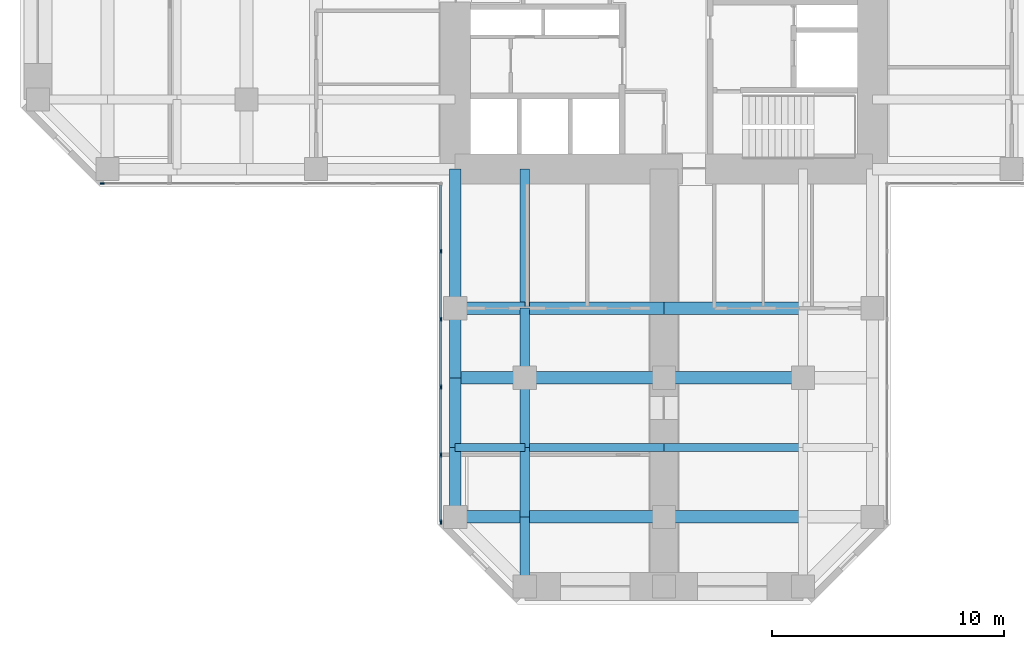
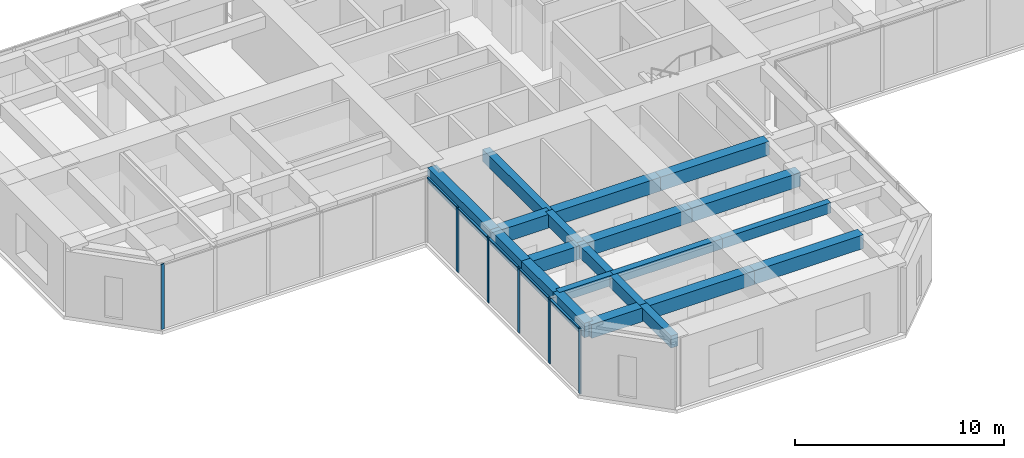
# One storey, part 2 of 12: 21 beams, 11 members, 2 elements without a shape of their own.
"""IFC4 building model written with IfcOpenShell, lengths in metres."""

from ifc_helpers import new_model, si_unit, direction, frame, origin, origin_2d, place, context, subcontext, project, spatial, rectangle, extrude, material, material_profile, profile_set, type_object, element, aggregate, save


model = new_model("IFC4")

# Units and contexts
model_context = context("Model", 3, precision=1e-05, world=origin(), true_north=direction((0.0, 1.0)))
body_context = subcontext(model_context, "Body", "Model", "MODEL_VIEW")
ifc_project = project(units=[si_unit("LENGTHUNIT", "METRE"), si_unit("AREAUNIT", "SQUARE_METRE"), si_unit("VOLUMEUNIT", "CUBIC_METRE"), si_unit("PLANEANGLEUNIT", "RADIAN"), si_unit("MASSUNIT", "GRAM", prefix="KILO")], contexts=[model_context])

# Site, building, storey
site_placement = place(None, origin())
site = spatial("IfcSite", under=ifc_project, at=site_placement, CompositionType="ELEMENT")
building_placement = place(site_placement, origin())
building = spatial("IfcBuilding", under=site, at=building_placement, Name="Torre Cruceta", CompositionType="ELEMENT")
storey_placement = place(building_placement, frame((0.0, 0.0, 136.5)))
storey = spatial("IfcBuildingStorey", under=building, at=storey_placement, Name="L33", CompositionType="ELEMENT", Elevation=136.5)

# Beams
ifc_material_1 = material(Name="Concrete G60 (fck 60 MPa)", Category="concrete")
ifc_material_profile_1 = material_profile(ifc_material_1, rectangle(XDim=0.39990234375, YDim=0.699951171875, at=origin_2d()), Name="RC 400X700")
ifc_profile_set_1 = profile_set([ifc_material_profile_1], Name="Concrete G60 (fck 60 MPa)")
beam_type_1 = type_object("IfcBeamType", Name="COLUMN LINE BEAM RC 400X700", PredefinedType="BEAM", material=ifc_profile_set_1)
beam_1_placement = place(storey_placement, frame((-6.0, -9.0, 3.449951171875), z_axis=(0.0, -1.0, 0.0), x_axis=(1.0, 0.0, 0.0)))
element("IfcBeam", 1, at=beam_1_placement, inside=storey, type_object=beam_type_1, Name="LB5 L33 S col- 1", PredefinedType="BEAM", context=body_context, shape_type="SweptSolid", body=[
    extrude(rectangle(XDim=0.39990234375, YDim=0.699951171875, at=origin_2d()), origin(), (0.0, 0.0, 1.0), 6.0),
])
for number, where, z_axis, x_axis, name in (
    (2, (-6.0, -15.0, 3.449951171875), (0.0, -1.0, 0.0), (1.0, 0.0, 0.0), "LB5 L33 S col- 2"),
    (3, (-6.0, -18.0, 3.449951171875), (0.0, -1.0, 0.0), (1.0, 0.0, 0.0), "LB5 L33 S col- 3"),
    (4, (-6.0, -21.0, 3.449951171875), (0.0, -1.0, 0.0), (1.0, 0.0, 0.0), "LB5 L33 S col- 4"),
    (5, (-6.0, -24.0, 3.449951171875), (0.0, -1.0, 0.0), (1.0, 0.0, 0.0), "LB5 L33 S col- 5"),
):
    element("IfcBeam", number, at=place(storey_placement, frame(where, z_axis=z_axis, x_axis=x_axis)), inside=storey, type_object=beam_type_1, Name=name, PredefinedType="BEAM", context=body_context, shape_type="SweptSolid", body=[
        extrude(rectangle(XDim=0.39990234375, YDim=0.699951171875, at=origin_2d()), origin(), (0.0, 0.0, 1.0), 3.0),
    ])
ifc_material_2 = material(Name="Concrete G60 (fck 60 MPa)", Category="concrete")
ifc_material_profile_2 = material_profile(ifc_material_2, rectangle(XDim=0.550048828125, YDim=0.800048828125, at=origin_2d()), Name="RC 550X800")
ifc_profile_set_2 = profile_set([ifc_material_profile_2], Name="Concrete G60 (fck 60 MPa)")
beam_type_2 = type_object("IfcBeamType", Name="CROSS BEAM RC 550X800", PredefinedType="BEAM", material=ifc_profile_set_2)
beam_2_placement = place(storey_placement, frame((-9.0, -15.0, 3.39990234375), z_axis=(1.0, 0.0, 0.0), x_axis=(0.0, 1.0, 0.0)))
element("IfcBeam", 6, at=beam_2_placement, inside=storey, type_object=beam_type_2, Name="GB5 L33 S cross15 1", PredefinedType="BEAM", context=body_context, shape_type="SweptSolid", body=[
    extrude(rectangle(XDim=0.550048828125, YDim=0.800048828125, at=origin_2d()), origin(), (0.0, 0.0, 1.0), 3.0),
])
for number, where, z_axis, x_axis, name in (
    (7, (-6.0, -15.0, 3.39990234375), (1.0, 0.0, 0.0), (0.0, 1.0, 0.0), "GB5 L33 S cross15 2"),
    (8, (0.0, -15.0, 3.39990234375), (1.0, 0.0, 0.0), (0.0, 1.0, 0.0), "GB5 L33 S cross15 3"),
):
    element("IfcBeam", number, at=place(storey_placement, frame(where, z_axis=z_axis, x_axis=x_axis)), inside=storey, type_object=beam_type_2, Name=name, PredefinedType="BEAM", context=body_context, shape_type="SweptSolid", body=[
        extrude(rectangle(XDim=0.550048828125, YDim=0.800048828125, at=origin_2d()), origin(), (0.0, 0.0, 1.0), 6.0),
    ])
beam_3_placement = place(storey_placement, frame((-9.0, -18.0, 3.39990234375), z_axis=(1.0, 0.0, 0.0), x_axis=(0.0, 1.0, 0.0)))
element("IfcBeam", 9, at=beam_3_placement, inside=storey, type_object=beam_type_2, Name="GB5 L33 S cross18 1", PredefinedType="BEAM", context=body_context, shape_type="SweptSolid", body=[
    extrude(rectangle(XDim=0.550048828125, YDim=0.800048828125, at=origin_2d()), origin(), (0.0, 0.0, 1.0), 3.0),
])
for number, where, z_axis, x_axis, name in (
    (10, (-6.0, -18.0, 3.39990234375), (1.0, 0.0, 0.0), (0.0, 1.0, 0.0), "GB5 L33 S cross18 2"),
    (11, (0.0, -18.0, 3.39990234375), (1.0, 0.0, 0.0), (0.0, 1.0, 0.0), "GB5 L33 S cross18 3"),
):
    element("IfcBeam", number, at=place(storey_placement, frame(where, z_axis=z_axis, x_axis=x_axis)), inside=storey, type_object=beam_type_2, Name=name, PredefinedType="BEAM", context=body_context, shape_type="SweptSolid", body=[
        extrude(rectangle(XDim=0.550048828125, YDim=0.800048828125, at=origin_2d()), origin(), (0.0, 0.0, 1.0), 6.0),
    ])
beam_4_placement = place(storey_placement, frame((-9.0, -24.0, 3.39990234375), z_axis=(1.0, 0.0, 0.0), x_axis=(0.0, 1.0, 0.0)))
element("IfcBeam", 12, at=beam_4_placement, inside=storey, type_object=beam_type_2, Name="GB5 L33 S cross24 1", PredefinedType="BEAM", context=body_context, shape_type="SweptSolid", body=[
    extrude(rectangle(XDim=0.550048828125, YDim=0.800048828125, at=origin_2d()), origin(), (0.0, 0.0, 1.0), 3.0),
])
for number, where, z_axis, x_axis, name in (
    (13, (-6.0, -24.0, 3.39990234375), (1.0, 0.0, 0.0), (0.0, 1.0, 0.0), "GB5 L33 S cross24 2"),
    (14, (0.0, -24.0, 3.39990234375), (1.0, 0.0, 0.0), (0.0, 1.0, 0.0), "GB5 L33 S cross24 3"),
):
    element("IfcBeam", number, at=place(storey_placement, frame(where, z_axis=z_axis, x_axis=x_axis)), inside=storey, type_object=beam_type_2, Name=name, PredefinedType="BEAM", context=body_context, shape_type="SweptSolid", body=[
        extrude(rectangle(XDim=0.550048828125, YDim=0.800048828125, at=origin_2d()), origin(), (0.0, 0.0, 1.0), 6.0),
    ])

# Curtain wall, member
ifc_material_3 = material(Name="Aluminium unitised curtain wall", Category="aluminium")
curtain_wall_type = type_object("IfcCurtainWallType", Name="CURTAIN WALL CW-B OFFICE MID RISE", PredefinedType="USERDEFINED", material=ifc_material_3)
curtain_wall_1_placement = place(storey_placement, origin())
curtain_wall_1 = element("IfcCurtainWall", 15, at=curtain_wall_1_placement, inside=storey, type_object=curtain_wall_type, Name="CW-B L33 W side 14", ObjectType="UNITISED", PredefinedType="USERDEFINED")
ifc_material_4 = material(Name="Aluminium mullion", Category="aluminium")
ifc_material_profile_3 = material_profile(ifc_material_4, rectangle(XDim=0.06494140625, YDim=0.179931640625, at=origin_2d()), Name="AL 65X180")
ifc_profile_set_3 = profile_set([ifc_material_profile_3], Name="Aluminium mullion")
member_type_1 = type_object("IfcMemberType", Name="CW-B MULLION 65X180", PredefinedType="MULLION", material=ifc_profile_set_3)
member_1_placement = place(storey_placement, frame((-24.224365234375, -9.6201171875, 0.0), z_axis=(0.0, 0.0, 1.0), x_axis=(0.0, 1.0, 0.0)))
member_1 = element("IfcMember", 16, at=member_1_placement, type_object=member_type_1, Name="CW-B mullion 1", PredefinedType="MULLION", context=body_context, shape_type="SweptSolid", body=[
    extrude(rectangle(XDim=0.06494140625, YDim=0.179931640625, at=origin_2d()), origin(), (0.0, 0.0, 1.0), 3.800048828125),
])
aggregate(curtain_wall_1, [member_1])

# Curtain wall, members
curtain_wall_2_placement = place(storey_placement, origin())
curtain_wall_2 = element("IfcCurtainWall", 17, at=curtain_wall_2_placement, inside=storey, type_object=curtain_wall_type, Name="CW-B L33 S side 15", ObjectType="UNITISED", PredefinedType="USERDEFINED")
member_2_placement = place(storey_placement, frame((-9.6201171875, -12.54736328125, 0.0), z_axis=(0.0, 0.0, 1.0), x_axis=(1.0, 0.0, 0.0)))
member_2 = element("IfcMember", 18, at=member_2_placement, type_object=member_type_1, Name="CW-B mullion 2", PredefinedType="MULLION", context=body_context, shape_type="SweptSolid", body=[
    extrude(rectangle(XDim=0.06494140625, YDim=0.179931640625, at=origin_2d()), origin(), (0.0, 0.0, 1.0), 3.800048828125),
])
member_3_placement = place(storey_placement, frame((-9.6201171875, -15.474609375, 0.0), z_axis=(0.0, 0.0, 1.0), x_axis=(1.0, 0.0, 0.0)))
member_3 = element("IfcMember", 19, at=member_3_placement, type_object=member_type_1, Name="CW-B mullion 3", PredefinedType="MULLION", context=body_context, shape_type="SweptSolid", body=[
    extrude(rectangle(XDim=0.06494140625, YDim=0.179931640625, at=origin_2d()), origin(), (0.0, 0.0, 1.0), 3.800048828125),
])
member_4_placement = place(storey_placement, frame((-9.6201171875, -18.402099609375, 0.0), z_axis=(0.0, 0.0, 1.0), x_axis=(1.0, 0.0, 0.0)))
member_4 = element("IfcMember", 20, at=member_4_placement, type_object=member_type_1, Name="CW-B mullion 4", PredefinedType="MULLION", context=body_context, shape_type="SweptSolid", body=[
    extrude(rectangle(XDim=0.06494140625, YDim=0.179931640625, at=origin_2d()), origin(), (0.0, 0.0, 1.0), 3.800048828125),
])
member_5_placement = place(storey_placement, frame((-9.6201171875, -21.329345703125, 0.0), z_axis=(0.0, 0.0, 1.0), x_axis=(1.0, 0.0, 0.0)))
member_5 = element("IfcMember", 21, at=member_5_placement, type_object=member_type_1, Name="CW-B mullion 5", PredefinedType="MULLION", context=body_context, shape_type="SweptSolid", body=[
    extrude(rectangle(XDim=0.06494140625, YDim=0.179931640625, at=origin_2d()), origin(), (0.0, 0.0, 1.0), 3.800048828125),
])
member_6_placement = place(storey_placement, frame((-9.6201171875, -24.224365234375, 0.0), z_axis=(0.0, 0.0, 1.0), x_axis=(1.0, 0.0, 0.0)))
member_6 = element("IfcMember", 22, at=member_6_placement, type_object=member_type_1, Name="CW-B mullion 6", PredefinedType="MULLION", context=body_context, shape_type="SweptSolid", body=[
    extrude(rectangle(XDim=0.06494140625, YDim=0.179931640625, at=origin_2d()), origin(), (0.0, 0.0, 1.0), 3.800048828125),
])
ifc_material_5 = material(Name="Aluminium transom", Category="aluminium")
ifc_material_profile_4 = material_profile(ifc_material_5, rectangle(XDim=0.110107421875, YDim=0.06494140625, at=origin_2d()), Name="AL 110X65")
ifc_profile_set_4 = profile_set([ifc_material_profile_4], Name="Aluminium transom")
member_type_2 = type_object("IfcMemberType", Name="CW-B TRANSOM 65X110", PredefinedType="USERDEFINED", material=ifc_profile_set_4)
member_7_placement = place(storey_placement, frame((-9.6201171875, -9.68505859375, 3.767578125), z_axis=(0.0, -1.0, 0.0), x_axis=(1.0, 0.0, 0.0)))
member_7 = element("IfcMember", 23, at=member_7_placement, type_object=member_type_2, Name="CW-B transom 1", ObjectType="TRANSOM", PredefinedType="USERDEFINED", context=body_context, shape_type="SweptSolid", body=[
    extrude(rectangle(XDim=0.110107421875, YDim=0.06494140625, at=origin_2d()), origin(), (0.0, 0.0, 1.0), 2.829833984375),
])
member_8_placement = place(storey_placement, frame((-9.6201171875, -12.579833984375, 3.767578125), z_axis=(0.0, -1.0, 0.0), x_axis=(1.0, 0.0, 0.0)))
member_8 = element("IfcMember", 24, at=member_8_placement, type_object=member_type_2, Name="CW-B transom 2", ObjectType="TRANSOM", PredefinedType="USERDEFINED", context=body_context, shape_type="SweptSolid", body=[
    extrude(rectangle(XDim=0.110107421875, YDim=0.06494140625, at=origin_2d()), origin(), (0.0, 0.0, 1.0), 2.8623046875),
])
member_9_placement = place(storey_placement, frame((-9.6201171875, -15.50732421875, 3.767578125), z_axis=(0.0, -1.0, 0.0), x_axis=(1.0, 0.0, 0.0)))
member_9 = element("IfcMember", 25, at=member_9_placement, type_object=member_type_2, Name="CW-B transom 3", ObjectType="TRANSOM", PredefinedType="USERDEFINED", context=body_context, shape_type="SweptSolid", body=[
    extrude(rectangle(XDim=0.110107421875, YDim=0.06494140625, at=origin_2d()), origin(), (0.0, 0.0, 1.0), 2.8623046875),
])
member_10_placement = place(storey_placement, frame((-9.6201171875, -18.4345703125, 3.767578125), z_axis=(0.0, -1.0, 0.0), x_axis=(1.0, 0.0, 0.0)))
member_10 = element("IfcMember", 26, at=member_10_placement, type_object=member_type_2, Name="CW-B transom 4", ObjectType="TRANSOM", PredefinedType="USERDEFINED", context=body_context, shape_type="SweptSolid", body=[
    extrude(rectangle(XDim=0.110107421875, YDim=0.06494140625, at=origin_2d()), origin(), (0.0, 0.0, 1.0), 2.8623046875),
])
member_11_placement = place(storey_placement, frame((-9.6201171875, -21.362060546875, 3.767578125), z_axis=(0.0, -1.0, 0.0), x_axis=(1.0, 0.0, 0.0)))
member_11 = element("IfcMember", 27, at=member_11_placement, type_object=member_type_2, Name="CW-B transom 5", ObjectType="TRANSOM", PredefinedType="USERDEFINED", context=body_context, shape_type="SweptSolid", body=[
    extrude(rectangle(XDim=0.110107421875, YDim=0.06494140625, at=origin_2d()), origin(), (0.0, 0.0, 1.0), 2.829833984375),
])
aggregate(curtain_wall_2, [member_2, member_3, member_4, member_5, member_6, member_7, member_8, member_9, member_10, member_11])

# Beams
ifc_material_6 = material(Name="Concrete G60 (fck 60 MPa)", Category="concrete")
ifc_material_profile_5 = material_profile(ifc_material_6, rectangle(XDim=0.35009765625, YDim=0.60009765625, at=origin_2d()), Name="RC 350X600")
ifc_profile_set_5 = profile_set([ifc_material_profile_5], Name="Concrete G60 (fck 60 MPa)")
beam_type_3 = type_object("IfcBeamType", Name="SECONDARY BEAM RC 350X600", PredefinedType="JOIST", material=ifc_profile_set_5)
beam_5_placement = place(storey_placement, frame((-9.0, -21.0, 3.5), z_axis=(1.0, 0.0, 0.0), x_axis=(0.0, 1.0, 0.0)))
element("IfcBeam", 28, at=beam_5_placement, inside=storey, type_object=beam_type_3, Name="JB5 L33 S sec21 1", PredefinedType="JOIST", context=body_context, shape_type="SweptSolid", body=[
    extrude(rectangle(XDim=0.35009765625, YDim=0.60009765625, at=origin_2d()), origin(), (0.0, 0.0, 1.0), 3.0),
])
for number, where, z_axis, x_axis, name in (
    (29, (-6.0, -21.0, 3.5), (1.0, 0.0, 0.0), (0.0, 1.0, 0.0), "JB5 L33 S sec21 2"),
    (30, (0.0, -21.0, 3.5), (1.0, 0.0, 0.0), (0.0, 1.0, 0.0), "JB5 L33 S sec21 3"),
):
    element("IfcBeam", number, at=place(storey_placement, frame(where, z_axis=z_axis, x_axis=x_axis)), inside=storey, type_object=beam_type_3, Name=name, PredefinedType="JOIST", context=body_context, shape_type="SweptSolid", body=[
        extrude(rectangle(XDim=0.35009765625, YDim=0.60009765625, at=origin_2d()), origin(), (0.0, 0.0, 1.0), 6.0),
    ])
ifc_material_7 = material(Name="Concrete G60 (fck 60 MPa)", Category="concrete")
ifc_material_profile_6 = material_profile(ifc_material_7, rectangle(XDim=0.5, YDim=0.85009765625, at=origin_2d()), Name="RC 500X850")
ifc_profile_set_6 = profile_set([ifc_material_profile_6], Name="Concrete G60 (fck 60 MPa)")
beam_type_4 = type_object("IfcBeamType", Name="SPANDREL BEAM RC 500X850", PredefinedType="SPANDREL", material=ifc_profile_set_6)
beam_6_placement = place(storey_placement, frame((-9.0, -9.0, 3.375), z_axis=(0.0, -1.0, 0.0), x_axis=(1.0, 0.0, 0.0)))
element("IfcBeam", 31, at=beam_6_placement, inside=storey, type_object=beam_type_4, Name="SB5 L33 S side- 1", PredefinedType="SPANDREL", context=body_context, shape_type="SweptSolid", body=[
    extrude(rectangle(XDim=0.5, YDim=0.85009765625, at=origin_2d()), origin(), (0.0, 0.0, 1.0), 6.0),
])
for number, where, z_axis, x_axis, name in (
    (32, (-9.0, -15.0, 3.375), (0.0, -1.0, 0.0), (1.0, 0.0, 0.0), "SB5 L33 S side- 2"),
    (33, (-9.0, -18.0, 3.375), (0.0, -1.0, 0.0), (1.0, 0.0, 0.0), "SB5 L33 S side- 3"),
    (34, (-9.0, -21.0, 3.375), (0.0, -1.0, 0.0), (1.0, 0.0, 0.0), "SB5 L33 S side- 4"),
):
    element("IfcBeam", number, at=place(storey_placement, frame(where, z_axis=z_axis, x_axis=x_axis)), inside=storey, type_object=beam_type_4, Name=name, PredefinedType="SPANDREL", context=body_context, shape_type="SweptSolid", body=[
        extrude(rectangle(XDim=0.5, YDim=0.85009765625, at=origin_2d()), origin(), (0.0, 0.0, 1.0), 3.0),
    ])

save(model, "model.ifc")
